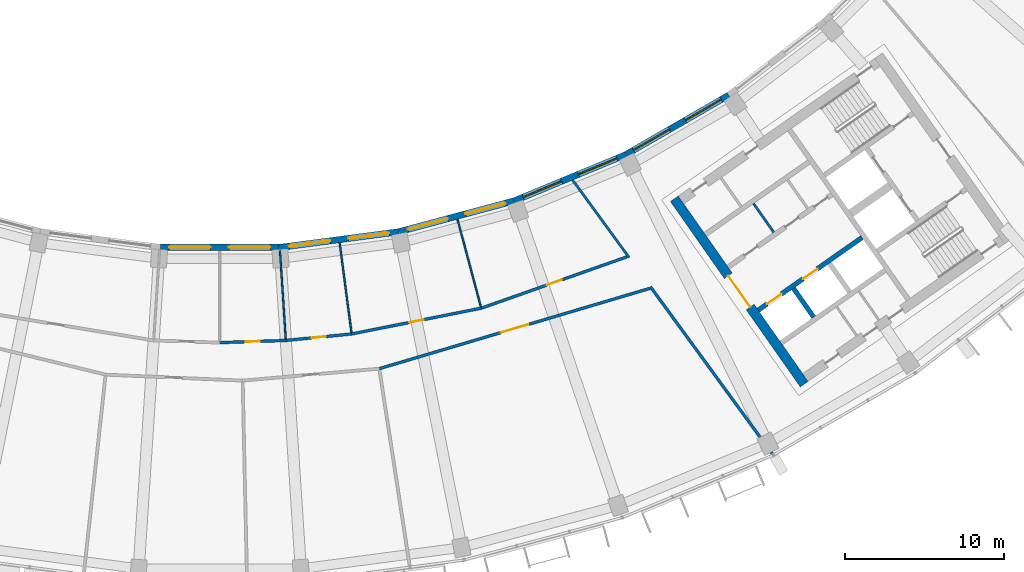
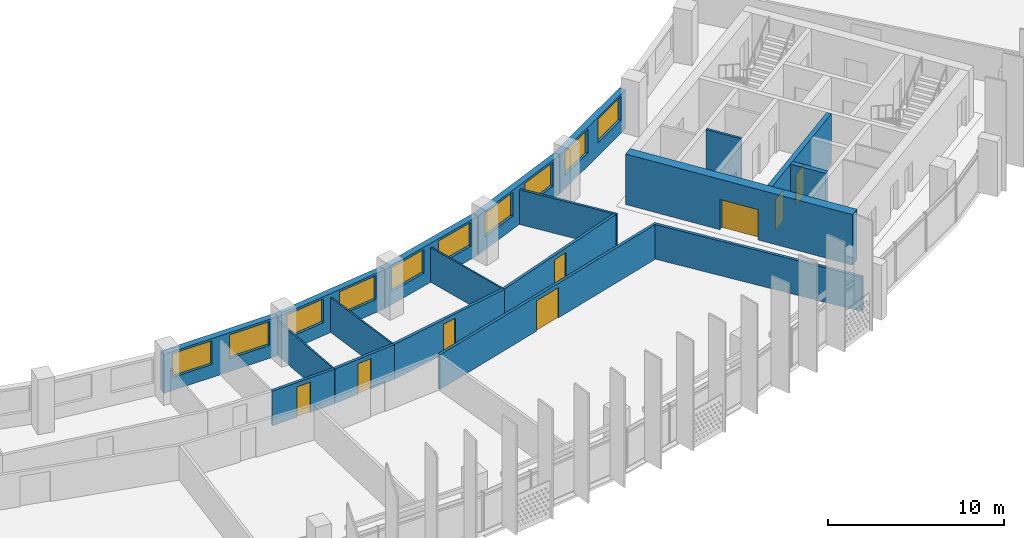
# One storey, part 6 of 28: 19 walls, 10 windows, 8 doors, 18 openings.
"""IFC4 building model written with IfcOpenShell, lengths in metres."""

from ifc_helpers import new_model, si_unit, direction, frame, frame_2d, origin, place, context, subcontext, project, spatial, rectangle, extrude, material, layer, layer_set, type_object, element, fill, save


model = new_model("IFC4")

# Units and contexts
model_context = context("Model", 3, precision=1e-05, world=origin(), true_north=direction((0.0, 1.0)))
body_context = subcontext(model_context, "Body", "Model", "MODEL_VIEW")
ifc_project = project(units=[si_unit("LENGTHUNIT", "METRE"), si_unit("AREAUNIT", "SQUARE_METRE"), si_unit("VOLUMEUNIT", "CUBIC_METRE"), si_unit("PLANEANGLEUNIT", "RADIAN"), si_unit("MASSUNIT", "GRAM", prefix="KILO")], contexts=[model_context])

# Site, building, storey
site_placement = place(None, origin())
site = spatial("IfcSite", under=ifc_project, at=site_placement, CompositionType="ELEMENT")
building_placement = place(site_placement, origin())
building = spatial("IfcBuilding", under=site, at=building_placement, Name="Qamariyya Broadcast Tower", CompositionType="ELEMENT")
storey_placement = place(building_placement, frame((0.0, 0.0, 234.10009765625)))
storey = spatial("IfcBuildingStorey", under=building, at=storey_placement, Name="L56", CompositionType="ELEMENT", Elevation=234.10009765625)

# Wall, opening, door
ifc_material_1 = material(Name="Concrete C60/75", Category="concrete")
ifc_layer_1 = layer(ifc_material_1, 0.60009765625)
ifc_layer_set_1 = layer_set([ifc_layer_1], Name="Core wall 600 mm Concrete C60/75")
wall_type_1 = type_object("IfcWallType", Name="Core wall 600 mm Concrete C60/75", PredefinedType="SHEAR", material=ifc_layer_set_1)
wall_1_placement = place(storey_placement, frame((36.66748046875, -66.005126953125, 0.0), z_axis=(0.0, 0.0, 1.0), x_axis=(-0.573568499524, 0.819157601658, 0.0)))
wall_1 = element("IfcWall", 1, at=wall_1_placement, inside=storey, type_object=wall_type_1, Name="k-E-L56-WA", PredefinedType="SHEAR", context=body_context, shape_type="SweptSolid", body=[
    extrude(rectangle(XDim=14.19970703125, YDim=0.60009765625, at=frame_2d((7.099853515625, 0.0))), origin(), (0.0, 0.0, 1.0), 3.5),
])
opening_1_placement = place(wall_1_placement, frame((5.89990234375, 0.0, 0.0)))
opening_1 = element("IfcOpeningElement", 2, at=opening_1_placement, cuts=wall_1, Name="Opening KD3-E1", PredefinedType="OPENING", context=body_context, shape_type="SweptSolid", body=[
    extrude(rectangle(XDim=2.39990234375, YDim=2.10009765625, at=frame_2d((1.199951171875, 1.050048828125))), frame((0.0, 0.31005859375, 0.0), z_axis=(0.0, -1.0, 0.0), x_axis=(1.0, 0.0, 0.0)), (0.0, 0.0, 1.0), 0.6201171875),
])
ifc_material_2 = material(Name="Steel fire-resisting door leaf", Category="steel")
door_type_1 = type_object("IfcDoorType", Name="Lift lobby door KD3", OperationType="DOUBLE_DOOR_SINGLE_SWING", PredefinedType="DOOR", material=ifc_material_2)
door_1_placement = place(opening_1_placement, origin())
door_1 = element("IfcDoor", 3, at=door_1_placement, inside=storey, type_object=door_type_1, Name="k-E-L56-WA-D1", OperationType="DOUBLE_DOOR_SINGLE_SWING", OverallHeight=2.10009765625, OverallWidth=2.39990234375, PredefinedType="DOOR", context=body_context, shape_type="SweptSolid", body=[
    extrude(rectangle(XDim=2.39990234375, YDim=2.10009765625, at=frame_2d((1.199951171875, 1.050048828125))), frame((0.0, 0.02490234375, 0.0), z_axis=(0.0, -1.0, 0.0), x_axis=(1.0, 0.0, 0.0)), (0.0, 0.0, 1.0), 0.050048828125),
])
fill(opening_1, door_1)

# Walls
ifc_material_3 = material(Name="Gypsum board partition")
ifc_layer_2 = layer(ifc_material_3, 0.14990234375)
ifc_layer_set_2 = layer_set([ifc_layer_2], Name="Corridor partition 150 EI 60")
wall_type_2 = type_object("IfcWallType", Name="Corridor partition 150 EI 60", PredefinedType="PARTITIONING", material=ifc_layer_set_2)
wall_2_placement = place(storey_placement, frame((22.135498046875, -53.1943359375, 0.0), z_axis=(0.0, 0.0, 1.0), x_axis=(0.589303921314, -0.807911435941, 0.0)))
element("IfcWall", 4, at=wall_2_placement, inside=storey, type_object=wall_type_2, Name="Partition L56-026", PredefinedType="PARTITIONING", context=body_context, shape_type="SweptSolid", body=[
    extrude(rectangle(XDim=6.02294921875, YDim=0.14990234375, at=frame_2d((3.011474609375, 0.0))), origin(), (0.0, 0.0, 1.0), 2.39990234375),
])
ifc_material_4 = material(Name="Gypsum board partition on steel studs", Category="steel")
ifc_layer_3 = layer(ifc_material_4, 0.14990234375)
ifc_layer_set_3 = layer_set([ifc_layer_3], Name="Gypsum board partition 150 mm")
wall_type_3 = type_object("IfcWallType", Name="Gypsum board partition 150 mm", PredefinedType="PARTITIONING", material=ifc_layer_set_3)
wall_3_placement = place(storey_placement, frame((34.757568359375, -56.477783203125, 0.0), z_axis=(0.0, 0.0, 1.0), x_axis=(-0.573633636671, 0.819111989218, 0.0)))
element("IfcWall", 5, at=wall_3_placement, inside=storey, type_object=wall_type_3, Name="k-E-L56-NC360", PredefinedType="PARTITIONING", context=body_context, shape_type="SweptSolid", body=[
    extrude(rectangle(XDim=2.199951171875, YDim=0.14990234375, at=frame_2d((1.10009765625, 0.0))), origin(), (0.0, 0.0, 1.0), 3.5),
])

# Wall, openings, doors
ifc_layer_4 = layer(ifc_material_1, 0.300048828125)
ifc_layer_set_4 = layer_set([ifc_layer_4], Name="Lift shaft wall 300 mm Concrete C60/75")
wall_type_4 = type_object("IfcWallType", Name="Lift shaft wall 300 mm Concrete C60/75", PredefinedType="SOLIDWALL", material=ifc_layer_set_4)
wall_4_placement = place(storey_placement, frame((33.787353515625, -61.368896484375, 0.0), z_axis=(0.0, 0.0, 1.0), x_axis=(0.819152564888, 0.573575692858, 0.0)))
wall_4 = element("IfcWall", 6, at=wall_4_placement, inside=storey, type_object=wall_type_4, Name="k-E-L56-SF0", PredefinedType="SOLIDWALL", context=body_context, shape_type="SweptSolid", body=[
    extrude(rectangle(XDim=7.9501953125, YDim=0.300048828125, at=frame_2d((3.97509765625, 0.0))), origin(), (0.0, 0.0, 1.0), 3.5),
])
opening_2_placement = place(wall_4_placement, frame((0.675048828125, 0.0, 0.0)))
opening_2 = element("IfcOpeningElement", 7, at=opening_2_placement, cuts=wall_4, Name="Opening LD", PredefinedType="OPENING", context=body_context, shape_type="SweptSolid", body=[
    extrude(rectangle(XDim=1.10009765625, YDim=2.10009765625, at=frame_2d((0.550048828125, 1.050048828125))), frame((0.0, 0.159912109375, 0.0), z_axis=(0.0, -1.0, 0.0), x_axis=(1.0, 0.0, 0.0)), (0.0, 0.0, 1.0), 0.320068359375),
])
opening_3_placement = place(wall_4_placement, frame((3.425048828125, 0.0, 0.0)))
opening_3 = element("IfcOpeningElement", 8, at=opening_3_placement, cuts=wall_4, Name="Opening LD", PredefinedType="OPENING", context=body_context, shape_type="SweptSolid", body=[
    extrude(rectangle(XDim=1.10009765625, YDim=2.10009765625, at=frame_2d((0.550048828125, 1.050048828125))), frame((0.0, 0.159912109375, 0.0), z_axis=(0.0, -1.0, 0.0), x_axis=(1.0, 0.0, 0.0)), (0.0, 0.0, 1.0), 0.320068359375),
])
door_type_2 = type_object("IfcDoorType", Name="Lift landing door LD", OperationType="DOUBLE_DOOR_SLIDING", PredefinedType="DOOR", material=ifc_material_2)
door_2_placement = place(opening_2_placement, origin())
door_2 = element("IfcDoor", 9, at=door_2_placement, inside=storey, type_object=door_type_2, Name="k-E-L56-SF0-D5", OperationType="DOUBLE_DOOR_SLIDING", OverallHeight=2.10009765625, OverallWidth=1.10009765625, PredefinedType="DOOR", context=body_context, shape_type="SweptSolid", body=[
    extrude(rectangle(XDim=1.10009765625, YDim=2.10009765625, at=frame_2d((0.550048828125, 1.050048828125))), frame((0.0, 0.02490234375, 0.0), z_axis=(0.0, -1.0, 0.0), x_axis=(1.0, 0.0, 0.0)), (0.0, 0.0, 1.0), 0.050048828125),
])
fill(opening_2, door_2)
door_3_placement = place(opening_3_placement, origin())
door_3 = element("IfcDoor", 10, at=door_3_placement, inside=storey, type_object=door_type_2, Name="k-E-L56-SF0-D6", OperationType="DOUBLE_DOOR_SLIDING", OverallHeight=2.10009765625, OverallWidth=1.10009765625, PredefinedType="DOOR", context=body_context, shape_type="SweptSolid", body=[
    extrude(rectangle(XDim=1.10009765625, YDim=2.10009765625, at=frame_2d((0.550048828125, 1.050048828125))), frame((0.0, 0.02490234375, 0.0), z_axis=(0.0, -1.0, 0.0), x_axis=(1.0, 0.0, 0.0)), (0.0, 0.0, 1.0), 0.050048828125),
])
fill(opening_3, door_3)

# Walls
wall_5_placement = place(storey_placement, frame((36.003173828125, -60.000244140625, 0.0), z_axis=(0.0, 0.0, 1.0), x_axis=(0.573581496053, -0.819148501424, 0.0)))
element("IfcWall", 11, at=wall_5_placement, inside=storey, type_object=wall_type_4, Name="k-E-L56-SD0", PredefinedType="SOLIDWALL", context=body_context, shape_type="SweptSolid", body=[
    extrude(rectangle(XDim=2.2001953125, YDim=0.300048828125, at=frame_2d((1.10009765625, 0.0))), origin(), (0.0, 0.0, 1.0), 3.5),
])
ifc_layer_5 = layer(ifc_material_3, 0.10009765625)
ifc_layer_set_5 = layer_set([ifc_layer_5], Name="Partition 100")
wall_type_5 = type_object("IfcWallType", Name="Partition 100", PredefinedType="PARTITIONING", material=ifc_layer_set_5)
wall_6_placement = place(storey_placement, frame((3.777099609375, -57.62646484375, 0.0), z_axis=(0.0, 0.0, 1.0), x_axis=(0.065382352654, -0.99786028479, 0.0)))
element("IfcWall", 12, at=wall_6_placement, inside=storey, type_object=wall_type_5, Name="Partition L56-018", PredefinedType="PARTITIONING", context=body_context, shape_type="SweptSolid", body=[
    extrude(rectangle(XDim=5.56005859375, YDim=0.10009765625, at=frame_2d((2.780029296875, 0.0))), origin(), (0.0, 0.0, 1.0), 2.39990234375),
])
wall_7_placement = place(storey_placement, frame((7.52197265625, -57.13427734375, 0.0), z_axis=(0.0, 0.0, 1.0), x_axis=(0.130520082014, -0.991445665779, 0.0)))
element("IfcWall", 13, at=wall_7_placement, inside=storey, type_object=wall_type_5, Name="Partition L56-020", PredefinedType="PARTITIONING", context=body_context, shape_type="SweptSolid", body=[
    extrude(rectangle(XDim=5.6826171875, YDim=0.10009765625, at=frame_2d((2.84130859375, 0.0))), origin(), (0.0, 0.0, 1.0), 2.39990234375),
])
wall_8_placement = place(storey_placement, frame((14.9150390625, -55.66357421875, 0.0), z_axis=(0.0, 0.0, 1.0), x_axis=(0.25879621203, -0.965931944103, 0.0)))
element("IfcWall", 14, at=wall_8_placement, inside=storey, type_object=wall_type_5, Name="Partition L56-024", PredefinedType="PARTITIONING", context=body_context, shape_type="SweptSolid", body=[
    extrude(rectangle(XDim=5.682861328125, YDim=0.10009765625, at=frame_2d((2.84130859375, 0.0))), origin(), (0.0, 0.0, 1.0), 2.39990234375),
])

# Wall, opening, door
ifc_layer_6 = layer(ifc_material_3, 0.179931640625)
ifc_layer_set_6 = layer_set([ifc_layer_6], Name="Studio acoustic partition 180 EI 60")
wall_type_6 = type_object("IfcWallType", Name="Studio acoustic partition 180 EI 60", PredefinedType="PARTITIONING", material=ifc_layer_set_6)
wall_9_placement = place(storey_placement, frame((0.0, -63.39990234375, 0.0), z_axis=(0.0, 0.0, 1.0), x_axis=(0.999464584765, 0.032719165634, 0.0)))
wall_9 = element("IfcWall", 15, at=wall_9_placement, inside=storey, type_object=wall_type_6, Name="Partition L56-014", PredefinedType="PARTITIONING", context=body_context, shape_type="SweptSolid", body=[
    extrude(rectangle(XDim=4.148681640625, YDim=0.179931640625, at=frame_2d((2.07421875, 0.0))), origin(), (0.0, 0.0, 1.0), 2.39990234375),
])
opening_4_placement = place(wall_9_placement, frame((1.62451171875, 0.0, 0.0)))
opening_4 = element("IfcOpeningElement", 16, at=opening_4_placement, cuts=wall_9, Name="Opening L56-D09", PredefinedType="OPENING", context=body_context, shape_type="SweptSolid", body=[
    extrude(rectangle(XDim=0.89990234375, YDim=2.10009765625, at=frame_2d((0.449951171875, 1.050048828125))), frame((0.0, 0.099853515625, 0.0), z_axis=(0.0, -1.0, 0.0), x_axis=(1.0, 0.0, 0.0)), (0.0, 0.0, 1.0), 0.199951171875),
])
ifc_material_5 = material(Name="Timber fire door leaf", Category="wood")
door_type_3 = type_object("IfcDoorType", Name="Fire door 900 x 2100 FD60", OperationType="NOTDEFINED", PredefinedType="DOOR", material=ifc_material_5)
door_4_placement = place(opening_4_placement, origin())
door_4 = element("IfcDoor", 17, at=door_4_placement, inside=storey, type_object=door_type_3, Name="Door L56-D09", OperationType="SINGLE_SWING_RIGHT", OverallHeight=2.10009765625, OverallWidth=0.89990234375, PredefinedType="DOOR", context=body_context, shape_type="SweptSolid", body=[
    extrude(rectangle(XDim=0.89990234375, YDim=2.10009765625, at=frame_2d((0.449951171875, 1.050048828125))), frame((0.0, 0.02490234375, 0.0), z_axis=(0.0, -1.0, 0.0), x_axis=(1.0, 0.0, 0.0)), (0.0, 0.0, 1.0), 0.050048828125),
])
fill(opening_4, door_4)

wall_10_placement = place(storey_placement, frame((4.146484375, -63.26416015625, 0.0), z_axis=(0.0, 0.0, 1.0), x_axis=(0.995188667069, 0.097977124567, 0.0)))
wall_10 = element("IfcWall", 18, at=wall_10_placement, inside=storey, type_object=wall_type_6, Name="Partition L56-019", PredefinedType="PARTITIONING", context=body_context, shape_type="SweptSolid", body=[
    extrude(rectangle(XDim=4.14892578125, YDim=0.179931640625, at=frame_2d((2.074462890625, 0.0))), origin(), (0.0, 0.0, 1.0), 2.39990234375),
])
opening_5_placement = place(wall_10_placement, frame((1.62451171875, 0.0, 0.0)))
opening_5 = element("IfcOpeningElement", 19, at=opening_5_placement, cuts=wall_10, Name="Opening L56-D10", PredefinedType="OPENING", context=body_context, shape_type="SweptSolid", body=[
    extrude(rectangle(XDim=0.89990234375, YDim=2.10009765625, at=frame_2d((0.449951171875, 1.050048828125))), frame((0.0, 0.099853515625, 0.0), z_axis=(0.0, -1.0, 0.0), x_axis=(1.0, 0.0, 0.0)), (0.0, 0.0, 1.0), 0.199951171875),
])
door_5_placement = place(opening_5_placement, origin())
door_5 = element("IfcDoor", 20, at=door_5_placement, inside=storey, type_object=door_type_3, Name="Door L56-D10", OperationType="SINGLE_SWING_RIGHT", OverallHeight=2.10009765625, OverallWidth=0.89990234375, PredefinedType="DOOR", context=body_context, shape_type="SweptSolid", body=[
    extrude(rectangle(XDim=0.89990234375, YDim=2.10009765625, at=frame_2d((0.449951171875, 1.050048828125))), frame((0.0, 0.02490234375, 0.0), z_axis=(0.0, -1.0, 0.0), x_axis=(1.0, 0.0, 0.0)), (0.0, 0.0, 1.0), 0.050048828125),
])
fill(opening_5, door_5)

wall_11_placement = place(storey_placement, frame((8.275390625, -62.857666015625, 0.0), z_axis=(0.0, 0.0, 1.0), x_axis=(0.98078508005, 0.195091329256, 0.0)))
wall_11 = element("IfcWall", 21, at=wall_11_placement, inside=storey, type_object=wall_type_6, Name="Partition L56-021", PredefinedType="PARTITIONING", context=body_context, shape_type="SweptSolid", body=[
    extrude(rectangle(XDim=8.293212890625, YDim=0.179931640625, at=frame_2d((4.146484375, 0.0))), origin(), (0.0, 0.0, 1.0), 2.39990234375),
])
opening_6_placement = place(wall_11_placement, frame((3.696533203125, 0.0, 0.0)))
opening_6 = element("IfcOpeningElement", 22, at=opening_6_placement, cuts=wall_11, Name="Opening L56-D11", PredefinedType="OPENING", context=body_context, shape_type="SweptSolid", body=[
    extrude(rectangle(XDim=0.89990234375, YDim=2.10009765625, at=frame_2d((0.449951171875, 1.050048828125))), frame((0.0, 0.099853515625, 0.0), z_axis=(0.0, -1.0, 0.0), x_axis=(1.0, 0.0, 0.0)), (0.0, 0.0, 1.0), 0.199951171875),
])
door_6_placement = place(opening_6_placement, origin())
door_6 = element("IfcDoor", 23, at=door_6_placement, inside=storey, type_object=door_type_3, Name="Door L56-D11", OperationType="SINGLE_SWING_RIGHT", OverallHeight=2.10009765625, OverallWidth=0.89990234375, PredefinedType="DOOR", context=body_context, shape_type="SweptSolid", body=[
    extrude(rectangle(XDim=0.89990234375, YDim=2.10009765625, at=frame_2d((0.449951171875, 1.050048828125))), frame((0.0, 0.02490234375, 0.0), z_axis=(0.0, -1.0, 0.0), x_axis=(1.0, 0.0, 0.0)), (0.0, 0.0, 1.0), 0.050048828125),
])
fill(opening_6, door_6)

wall_12_placement = place(storey_placement, frame((26.991455078125, -59.995849609375, 0.0), z_axis=(0.0, 0.0, 1.0), x_axis=(-0.958690690932, -0.284450626859, 0.0)))
wall_12 = element("IfcWall", 24, at=wall_12_placement, inside=storey, type_object=wall_type_6, Name="Partition L56-022", PredefinedType="PARTITIONING", context=body_context, shape_type="SweptSolid", body=[
    extrude(rectangle(XDim=17.711669921875, YDim=0.179931640625, at=frame_2d((8.85595703125, 0.0))), origin(), (0.0, 0.0, 1.0), 2.39990234375),
])
opening_7_placement = place(wall_12_placement, frame((7.955810546875, 0.0, 0.0)))
opening_7 = element("IfcOpeningElement", 25, at=opening_7_placement, cuts=wall_12, Name="Opening L56-D05", PredefinedType="OPENING", context=body_context, shape_type="SweptSolid", body=[
    extrude(rectangle(XDim=1.800048828125, YDim=2.10009765625, at=frame_2d((0.89990234375, 1.050048828125))), frame((0.0, 0.099853515625, 0.0), z_axis=(0.0, -1.0, 0.0), x_axis=(1.0, 0.0, 0.0)), (0.0, 0.0, 1.0), 0.199951171875),
])
door_type_4 = type_object("IfcDoorType", Name="Double fire door 1800 x 2100 FD60", OperationType="NOTDEFINED", PredefinedType="DOOR", material=ifc_material_5)
door_7_placement = place(opening_7_placement, origin())
door_7 = element("IfcDoor", 26, at=door_7_placement, inside=storey, type_object=door_type_4, Name="Door L56-D05", OperationType="DOUBLE_DOOR_SINGLE_SWING", OverallHeight=2.10009765625, OverallWidth=1.800048828125, PredefinedType="DOOR", context=body_context, shape_type="SweptSolid", body=[
    extrude(rectangle(XDim=1.800048828125, YDim=2.10009765625, at=frame_2d((0.89990234375, 1.050048828125))), frame((0.0, 0.02490234375, 0.0), z_axis=(0.0, -1.0, 0.0), x_axis=(1.0, 0.0, 0.0)), (0.0, 0.0, 1.0), 0.050048828125),
])
fill(opening_7, door_7)

wall_13_placement = place(storey_placement, frame((16.4091796875, -61.23974609375, 0.0), z_axis=(0.0, 0.0, 1.0), x_axis=(0.943087830275, 0.332543748081, 0.0)))
wall_13 = element("IfcWall", 27, at=wall_13_placement, inside=storey, type_object=wall_type_6, Name="Partition L56-025", PredefinedType="PARTITIONING", context=body_context, shape_type="SweptSolid", body=[
    extrude(rectangle(XDim=9.7041015625, YDim=0.179931640625, at=frame_2d((4.85205078125, 0.0))), origin(), (0.0, 0.0, 1.0), 2.39990234375),
])
opening_8_placement = place(wall_13_placement, frame((4.35205078125, 0.0, 0.0)))
opening_8 = element("IfcOpeningElement", 28, at=opening_8_placement, cuts=wall_13, Name="Opening L56-D12", PredefinedType="OPENING", context=body_context, shape_type="SweptSolid", body=[
    extrude(rectangle(XDim=1.0, YDim=2.10009765625, at=frame_2d((0.5, 1.050048828125))), frame((0.0, 0.099853515625, 0.0), z_axis=(0.0, -1.0, 0.0), x_axis=(1.0, 0.0, 0.0)), (0.0, 0.0, 1.0), 0.199951171875),
])
door_type_5 = type_object("IfcDoorType", Name="Fire door 1000 x 2100 FD60", OperationType="NOTDEFINED", PredefinedType="DOOR", material=ifc_material_5)
door_8_placement = place(opening_8_placement, origin())
door_8 = element("IfcDoor", 29, at=door_8_placement, inside=storey, type_object=door_type_5, Name="Door L56-D12", OperationType="SINGLE_SWING_RIGHT", OverallHeight=2.10009765625, OverallWidth=1.0, PredefinedType="DOOR", context=body_context, shape_type="SweptSolid", body=[
    extrude(rectangle(XDim=1.0, YDim=2.10009765625, at=frame_2d((0.5, 1.050048828125))), frame((0.0, 0.02490234375, 0.0), z_axis=(0.0, -1.0, 0.0), x_axis=(1.0, 0.0, 0.0)), (0.0, 0.0, 1.0), 0.050048828125),
])
fill(opening_8, door_8)

# Wall
wall_14_placement = place(storey_placement, frame((27.024658203125, -59.897705078125, 0.0), z_axis=(0.0, 0.0, 1.0), x_axis=(0.5892768598, -0.807931174361, 0.0)))
element("IfcWall", 30, at=wall_14_placement, inside=storey, type_object=wall_type_6, Name="Partition L56-027", PredefinedType="PARTITIONING", context=body_context, shape_type="SweptSolid", body=[
    extrude(rectangle(XDim=12.97119140625, YDim=0.179931640625, at=frame_2d((6.485595703125, 0.0))), origin(), (0.0, 0.0, 1.0), 2.39990234375),
])

# Wall, openings, windows
ifc_material_6 = material(Name="Terracotta", Category="masonry")
ifc_layer_7 = layer(ifc_material_6, 0.39990234375)
ifc_layer_set_7 = layer_set([ifc_layer_7], Name="Terracotta clad wall 400")
wall_type_7 = type_object("IfcWallType", Name="Terracotta clad wall 400", PredefinedType="SOLIDWALL", material=ifc_layer_set_7)
wall_15_placement = place(storey_placement, frame((18.449951171875, -54.50927734375, 0.0), z_axis=(0.0, 0.0, 1.0), x_axis=(-0.965924866111, -0.25882262851, 0.0)))
wall_15 = element("IfcWall", 31, at=wall_15_placement, inside=storey, type_object=wall_type_7, Name="e-wl-L56-in100", PredefinedType="SOLIDWALL", context=body_context, shape_type="SweptSolid", body=[
    extrude(rectangle(XDim=7.426513671875, YDim=0.39990234375, at=frame_2d((3.71337890625, 0.0))), origin(), (0.0, 0.0, 1.0), 2.699951171875),
])
opening_9_placement = place(wall_15_placement, frame((4.28857421875, 0.0, 0.89990234375)))
opening_9 = element("IfcOpeningElement", 32, at=opening_9_placement, cuts=wall_15, Name="Opening W1", PredefinedType="OPENING", context=body_context, shape_type="SweptSolid", body=[
    extrude(rectangle(XDim=2.60009765625, YDim=1.64990234375, at=frame_2d((1.300048828125, 0.824951171875))), frame((0.0, 0.2099609375, 0.0), z_axis=(0.0, -1.0, 0.0), x_axis=(1.0, 0.0, 0.0)), (0.0, 0.0, 1.0), 0.419921875),
])
opening_10_placement = place(wall_15_placement, frame((0.537841796875, 0.0, 0.89990234375)))
opening_10 = element("IfcOpeningElement", 33, at=opening_10_placement, cuts=wall_15, Name="Opening W1", PredefinedType="OPENING", context=body_context, shape_type="SweptSolid", body=[
    extrude(rectangle(XDim=2.60009765625, YDim=1.64990234375, at=frame_2d((1.300048828125, 0.824951171875))), frame((0.0, 0.2099609375, 0.0), z_axis=(0.0, -1.0, 0.0), x_axis=(1.0, 0.0, 0.0)), (0.0, 0.0, 1.0), 0.419921875),
])
ifc_material_7 = material(Name="Clear low-e double glazed unit in aluminium frame", Category="aluminium")
window_type = type_object("IfcWindowType", Name="Ribbon window 2600 x 1650", PartitioningType="SINGLE_PANEL", PredefinedType="WINDOW", material=ifc_material_7)
window_1_placement = place(opening_9_placement, origin())
window_1 = element("IfcWindow", 34, at=window_1_placement, inside=storey, type_object=window_type, Name="e-w-L56-in10-0", OverallHeight=1.64990234375, OverallWidth=2.60009765625, PartitioningType="SINGLE_PANEL", PredefinedType="WINDOW", context=body_context, shape_type="SweptSolid", body=[
    extrude(rectangle(XDim=2.60009765625, YDim=1.64990234375, at=frame_2d((1.300048828125, 0.824951171875))), frame((0.0, 0.030029296875, 0.0), z_axis=(0.0, -1.0, 0.0), x_axis=(1.0, 0.0, 0.0)), (0.0, 0.0, 1.0), 0.06005859375),
])
fill(opening_9, window_1)
window_2_placement = place(opening_10_placement, origin())
window_2 = element("IfcWindow", 35, at=window_2_placement, inside=storey, type_object=window_type, Name="e-w-L56-in10-1", OverallHeight=1.64990234375, OverallWidth=2.60009765625, PartitioningType="SINGLE_PANEL", PredefinedType="WINDOW", context=body_context, shape_type="SweptSolid", body=[
    extrude(rectangle(XDim=2.60009765625, YDim=1.64990234375, at=frame_2d((1.300048828125, 0.824951171875))), frame((0.0, 0.030029296875, 0.0), z_axis=(0.0, -1.0, 0.0), x_axis=(1.0, 0.0, 0.0)), (0.0, 0.0, 1.0), 0.06005859375),
])
fill(opening_10, window_2)

wall_16_placement = place(storey_placement, frame((25.47705078125, -51.60595703125, 0.0), z_axis=(0.0, 0.0, 1.0), x_axis=(-0.923884115122, -0.382672368777, 0.0)))
wall_16 = element("IfcWall", 36, at=wall_16_placement, inside=storey, type_object=wall_type_7, Name="e-wl-L56-in110", PredefinedType="SOLIDWALL", context=body_context, shape_type="SweptSolid", body=[
    extrude(rectangle(XDim=7.578125, YDim=0.39990234375, at=frame_2d((3.7890625, 0.0))), origin(), (0.0, 0.0, 1.0), 2.699951171875),
])
opening_11_placement = place(wall_16_placement, frame((4.364501953125, 0.0, 0.89990234375)))
opening_11 = element("IfcOpeningElement", 37, at=opening_11_placement, cuts=wall_16, Name="Opening W1", PredefinedType="OPENING", context=body_context, shape_type="SweptSolid", body=[
    extrude(rectangle(XDim=2.60009765625, YDim=1.64990234375, at=frame_2d((1.300048828125, 0.824951171875))), frame((0.0, 0.2099609375, 0.0), z_axis=(0.0, -1.0, 0.0), x_axis=(1.0, 0.0, 0.0)), (0.0, 0.0, 1.0), 0.419921875),
])
opening_12_placement = place(wall_16_placement, frame((0.613525390625, 0.0, 0.89990234375)))
opening_12 = element("IfcOpeningElement", 38, at=opening_12_placement, cuts=wall_16, Name="Opening W1", PredefinedType="OPENING", context=body_context, shape_type="SweptSolid", body=[
    extrude(rectangle(XDim=2.60009765625, YDim=1.64990234375, at=frame_2d((1.300048828125, 0.824951171875))), frame((0.0, 0.2099609375, 0.0), z_axis=(0.0, -1.0, 0.0), x_axis=(1.0, 0.0, 0.0)), (0.0, 0.0, 1.0), 0.419921875),
])
window_3_placement = place(opening_11_placement, origin())
window_3 = element("IfcWindow", 39, at=window_3_placement, inside=storey, type_object=window_type, Name="e-w-L56-in11-0", OverallHeight=1.64990234375, OverallWidth=2.60009765625, PartitioningType="SINGLE_PANEL", PredefinedType="WINDOW", context=body_context, shape_type="SweptSolid", body=[
    extrude(rectangle(XDim=2.60009765625, YDim=1.64990234375, at=frame_2d((1.300048828125, 0.824951171875))), frame((0.0, 0.030029296875, 0.0), z_axis=(0.0, -1.0, 0.0), x_axis=(1.0, 0.0, 0.0)), (0.0, 0.0, 1.0), 0.06005859375),
])
fill(opening_11, window_3)
window_4_placement = place(opening_12_placement, origin())
window_4 = element("IfcWindow", 40, at=window_4_placement, inside=storey, type_object=window_type, Name="e-w-L56-in11-1", OverallHeight=1.64990234375, OverallWidth=2.60009765625, PartitioningType="SINGLE_PANEL", PredefinedType="WINDOW", context=body_context, shape_type="SweptSolid", body=[
    extrude(rectangle(XDim=2.60009765625, YDim=1.64990234375, at=frame_2d((1.300048828125, 0.824951171875))), frame((0.0, 0.030029296875, 0.0), z_axis=(0.0, -1.0, 0.0), x_axis=(1.0, 0.0, 0.0)), (0.0, 0.0, 1.0), 0.06005859375),
])
fill(opening_12, window_4)

wall_17_placement = place(storey_placement, frame((31.929443359375, -47.876708984375, 0.0), z_axis=(0.0, 0.0, 1.0), x_axis=(-0.866021353871, -0.500007014591, 0.0)))
wall_17 = element("IfcWall", 41, at=wall_17_placement, inside=storey, type_object=wall_type_7, Name="e-wl-L56-in120", PredefinedType="SOLIDWALL", context=body_context, shape_type="SweptSolid", body=[
    extrude(rectangle(XDim=7.4267578125, YDim=0.39990234375, at=frame_2d((3.71337890625, 0.0))), origin(), (0.0, 0.0, 1.0), 2.699951171875),
])
opening_13_placement = place(wall_17_placement, frame((4.28857421875, 0.0, 0.89990234375)))
opening_13 = element("IfcOpeningElement", 42, at=opening_13_placement, cuts=wall_17, Name="Opening W1", PredefinedType="OPENING", context=body_context, shape_type="SweptSolid", body=[
    extrude(rectangle(XDim=2.60009765625, YDim=1.64990234375, at=frame_2d((1.300048828125, 0.824951171875))), frame((0.0, 0.2099609375, 0.0), z_axis=(0.0, -1.0, 0.0), x_axis=(1.0, 0.0, 0.0)), (0.0, 0.0, 1.0), 0.419921875),
])
opening_14_placement = place(wall_17_placement, frame((0.537841796875, 0.0, 0.89990234375)))
opening_14 = element("IfcOpeningElement", 43, at=opening_14_placement, cuts=wall_17, Name="Opening W1", PredefinedType="OPENING", context=body_context, shape_type="SweptSolid", body=[
    extrude(rectangle(XDim=2.60009765625, YDim=1.64990234375, at=frame_2d((1.300048828125, 0.824951171875))), frame((0.0, 0.2099609375, 0.0), z_axis=(0.0, -1.0, 0.0), x_axis=(1.0, 0.0, 0.0)), (0.0, 0.0, 1.0), 0.419921875),
])
window_5_placement = place(opening_13_placement, origin())
window_5 = element("IfcWindow", 44, at=window_5_placement, inside=storey, type_object=window_type, Name="e-w-L56-in12-0", OverallHeight=1.64990234375, OverallWidth=2.60009765625, PartitioningType="SINGLE_PANEL", PredefinedType="WINDOW", context=body_context, shape_type="SweptSolid", body=[
    extrude(rectangle(XDim=2.60009765625, YDim=1.64990234375, at=frame_2d((1.300048828125, 0.824951171875))), frame((0.0, 0.030029296875, 0.0), z_axis=(0.0, -1.0, 0.0), x_axis=(1.0, 0.0, 0.0)), (0.0, 0.0, 1.0), 0.06005859375),
])
fill(opening_13, window_5)
window_6_placement = place(opening_14_placement, origin())
window_6 = element("IfcWindow", 45, at=window_6_placement, inside=storey, type_object=window_type, Name="e-w-L56-in12-1", OverallHeight=1.64990234375, OverallWidth=2.60009765625, PartitioningType="SINGLE_PANEL", PredefinedType="WINDOW", context=body_context, shape_type="SweptSolid", body=[
    extrude(rectangle(XDim=2.60009765625, YDim=1.64990234375, at=frame_2d((1.300048828125, 0.824951171875))), frame((0.0, 0.030029296875, 0.0), z_axis=(0.0, -1.0, 0.0), x_axis=(1.0, 0.0, 0.0)), (0.0, 0.0, 1.0), 0.06005859375),
])
fill(opening_14, window_6)

wall_18_placement = place(storey_placement, frame((3.713134765625, -57.42724609375, 0.0), z_axis=(0.0, 0.0, 1.0), x_axis=(-1.0, 0.0, 0.0)))
wall_18 = element("IfcWall", 46, at=wall_18_placement, inside=storey, type_object=wall_type_7, Name="e-wl-L56-in80", PredefinedType="SOLIDWALL", context=body_context, shape_type="SweptSolid", body=[
    extrude(rectangle(XDim=7.42626953125, YDim=0.39990234375, at=frame_2d((3.713134765625, 0.0))), origin(), (0.0, 0.0, 1.0), 2.699951171875),
])
opening_15_placement = place(wall_18_placement, frame((4.28857421875, 0.0, 0.89990234375)))
opening_15 = element("IfcOpeningElement", 47, at=opening_15_placement, cuts=wall_18, Name="Opening W1", PredefinedType="OPENING", context=body_context, shape_type="SweptSolid", body=[
    extrude(rectangle(XDim=2.60009765625, YDim=1.64990234375, at=frame_2d((1.300048828125, 0.824951171875))), frame((0.0, 0.2099609375, 0.0), z_axis=(0.0, -1.0, 0.0), x_axis=(1.0, 0.0, 0.0)), (0.0, 0.0, 1.0), 0.419921875),
])
opening_16_placement = place(wall_18_placement, frame((0.537841796875, 0.0, 0.89990234375)))
opening_16 = element("IfcOpeningElement", 48, at=opening_16_placement, cuts=wall_18, Name="Opening W1", PredefinedType="OPENING", context=body_context, shape_type="SweptSolid", body=[
    extrude(rectangle(XDim=2.60009765625, YDim=1.64990234375, at=frame_2d((1.300048828125, 0.824951171875))), frame((0.0, 0.2099609375, 0.0), z_axis=(0.0, -1.0, 0.0), x_axis=(1.0, 0.0, 0.0)), (0.0, 0.0, 1.0), 0.419921875),
])
window_7_placement = place(opening_15_placement, origin())
window_7 = element("IfcWindow", 49, at=window_7_placement, inside=storey, type_object=window_type, Name="e-w-L56-in08-0", OverallHeight=1.64990234375, OverallWidth=2.60009765625, PartitioningType="SINGLE_PANEL", PredefinedType="WINDOW", context=body_context, shape_type="SweptSolid", body=[
    extrude(rectangle(XDim=2.60009765625, YDim=1.64990234375, at=frame_2d((1.300048828125, 0.824951171875))), frame((0.0, 0.030029296875, 0.0), z_axis=(0.0, -1.0, 0.0), x_axis=(1.0, 0.0, 0.0)), (0.0, 0.0, 1.0), 0.06005859375),
])
fill(opening_15, window_7)
window_8_placement = place(opening_16_placement, origin())
window_8 = element("IfcWindow", 50, at=window_8_placement, inside=storey, type_object=window_type, Name="e-w-L56-in08-1", OverallHeight=1.64990234375, OverallWidth=2.60009765625, PartitioningType="SINGLE_PANEL", PredefinedType="WINDOW", context=body_context, shape_type="SweptSolid", body=[
    extrude(rectangle(XDim=2.60009765625, YDim=1.64990234375, at=frame_2d((1.300048828125, 0.824951171875))), frame((0.0, 0.030029296875, 0.0), z_axis=(0.0, -1.0, 0.0), x_axis=(1.0, 0.0, 0.0)), (0.0, 0.0, 1.0), 0.06005859375),
])
fill(opening_16, window_8)

wall_19_placement = place(storey_placement, frame((11.252197265625, -56.44140625, 0.0), z_axis=(0.0, 0.0, 1.0), x_axis=(-0.991446288508, -0.130515351599, 0.0)))
wall_19 = element("IfcWall", 51, at=wall_19_placement, inside=storey, type_object=wall_type_7, Name="e-wl-L56-in90", PredefinedType="SOLIDWALL", context=body_context, shape_type="SweptSolid", body=[
    extrude(rectangle(XDim=7.57763671875, YDim=0.39990234375, at=frame_2d((3.788818359375, 0.0))), origin(), (0.0, 0.0, 1.0), 2.699951171875),
])
opening_17_placement = place(wall_19_placement, frame((4.364501953125, 0.0, 0.89990234375)))
opening_17 = element("IfcOpeningElement", 52, at=opening_17_placement, cuts=wall_19, Name="Opening W1", PredefinedType="OPENING", context=body_context, shape_type="SweptSolid", body=[
    extrude(rectangle(XDim=2.60009765625, YDim=1.64990234375, at=frame_2d((1.300048828125, 0.824951171875))), frame((0.0, 0.2099609375, 0.0), z_axis=(0.0, -1.0, 0.0), x_axis=(1.0, 0.0, 0.0)), (0.0, 0.0, 1.0), 0.419921875),
])
opening_18_placement = place(wall_19_placement, frame((0.613525390625, 0.0, 0.89990234375)))
opening_18 = element("IfcOpeningElement", 53, at=opening_18_placement, cuts=wall_19, Name="Opening W1", PredefinedType="OPENING", context=body_context, shape_type="SweptSolid", body=[
    extrude(rectangle(XDim=2.60009765625, YDim=1.64990234375, at=frame_2d((1.300048828125, 0.824951171875))), frame((0.0, 0.2099609375, 0.0), z_axis=(0.0, -1.0, 0.0), x_axis=(1.0, 0.0, 0.0)), (0.0, 0.0, 1.0), 0.419921875),
])
window_9_placement = place(opening_17_placement, origin())
window_9 = element("IfcWindow", 54, at=window_9_placement, inside=storey, type_object=window_type, Name="e-w-L56-in09-0", OverallHeight=1.64990234375, OverallWidth=2.60009765625, PartitioningType="SINGLE_PANEL", PredefinedType="WINDOW", context=body_context, shape_type="SweptSolid", body=[
    extrude(rectangle(XDim=2.60009765625, YDim=1.64990234375, at=frame_2d((1.300048828125, 0.824951171875))), frame((0.0, 0.030029296875, 0.0), z_axis=(0.0, -1.0, 0.0), x_axis=(1.0, 0.0, 0.0)), (0.0, 0.0, 1.0), 0.06005859375),
])
fill(opening_17, window_9)
window_10_placement = place(opening_18_placement, origin())
window_10 = element("IfcWindow", 55, at=window_10_placement, inside=storey, type_object=window_type, Name="e-w-L56-in09-1", OverallHeight=1.64990234375, OverallWidth=2.60009765625, PartitioningType="SINGLE_PANEL", PredefinedType="WINDOW", context=body_context, shape_type="SweptSolid", body=[
    extrude(rectangle(XDim=2.60009765625, YDim=1.64990234375, at=frame_2d((1.300048828125, 0.824951171875))), frame((0.0, 0.030029296875, 0.0), z_axis=(0.0, -1.0, 0.0), x_axis=(1.0, 0.0, 0.0)), (0.0, 0.0, 1.0), 0.06005859375),
])
fill(opening_18, window_10)

save(model, "model.ifc")
